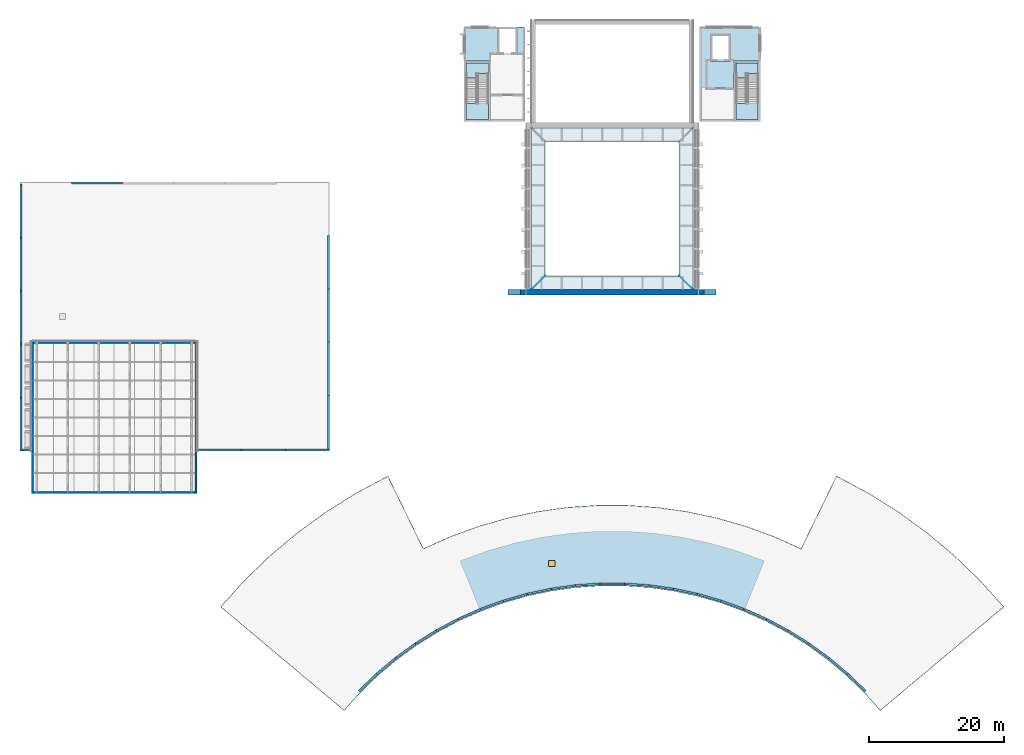
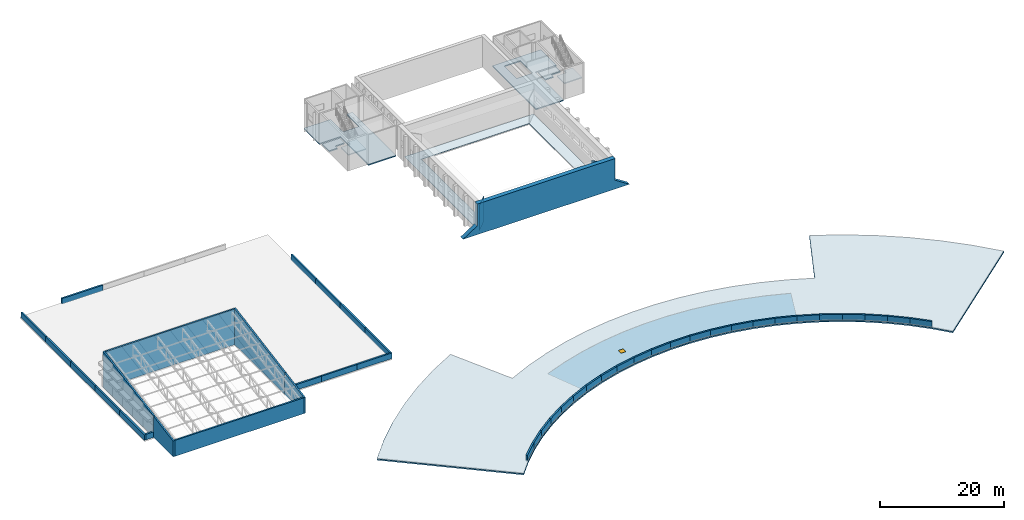
"""IFC4 building model written with IfcOpenShell, lengths in metres."""

from ifc_helpers import new_model, si_unit, direction, frame, frame_2d, origin, origin_2d, place, context, subcontext, project, spatial, polyline, rectangle, outline, extrude, material, layer, layer_set, type_object, element, fill, aggregate, save


model = new_model("IFC4")

# Units and contexts
model_context = context("Model", 3, precision=1e-05, world=origin(), true_north=direction((0.0, 1.0)))
body_context = subcontext(model_context, "Body", "Model", "MODEL_VIEW")
ifc_project = project(units=[si_unit("LENGTHUNIT", "METRE"), si_unit("AREAUNIT", "SQUARE_METRE"), si_unit("VOLUMEUNIT", "CUBIC_METRE"), si_unit("PLANEANGLEUNIT", "RADIAN"), si_unit("MASSUNIT", "GRAM", prefix="KILO")], contexts=[model_context])

# Site, building, storey
site_placement = place(None, origin())
site = spatial("IfcSite", under=ifc_project, at=site_placement, CompositionType="ELEMENT")
building_placement = place(site_placement, origin())
building = spatial("IfcBuilding", under=site, at=building_placement, Name="Lunette Opera House", CompositionType="ELEMENT")
storey_1_placement = place(building_placement, frame((0.0, 0.0, 28.0)))
storey_1 = spatial("IfcBuildingStorey", under=building, at=storey_1_placement, Name="L05", CompositionType="ELEMENT", Elevation=28.0)

# Slabs
ifc_material_1 = material(Name="Concrete C35/45", Category="concrete")
ifc_layer_1 = layer(ifc_material_1, 0.219970703125)
ifc_layer_set_1 = layer_set([ifc_layer_1], Name="Concrete C35/45")
slab_type_1 = type_object("IfcSlabType", Name="CORE LANDING SLAB 220", PredefinedType="LANDING", material=ifc_layer_set_1)
slab_1_placement = place(storey_1_placement, frame((0.0, 0.0, -0.219970703125)))
element("IfcSlab", 1, at=slab_1_placement, inside=storey_1, type_object=slab_type_1, Name="ST11 floor landing", PredefinedType="LANDING", context=body_context, shape_type="SweptSolid", body=[
    extrude(outline(polyline([(77.60009765625, 129.699951171875), (77.60009765625, 128.139892578125), (76.050048828125, 128.139892578125), (76.050048828125, 128.14990234375), (75.85009765625, 128.14990234375), (75.85009765625, 127.449951171875), (74.300048828125, 127.449951171875), (74.300048828125, 129.699951171875), (77.60009765625, 129.699951171875)])), origin(), (0.0, 0.0, 1.0), 0.219970703125),
])
slab_2_placement = place(storey_1_placement, frame((0.0, 0.0, -0.219970703125)))
element("IfcSlab", 2, at=slab_2_placement, inside=storey_1, type_object=slab_type_1, Name="ST12 floor landing", PredefinedType="LANDING", context=body_context, shape_type="SweptSolid", body=[
    extrude(outline(polyline([(117.699951171875, 128.139892578125), (116.14990234375, 128.139892578125), (116.14990234375, 128.14990234375), (115.949951171875, 128.14990234375), (115.949951171875, 127.449951171875), (114.39990234375, 127.449951171875), (114.39990234375, 129.699951171875), (117.699951171875, 129.699951171875), (117.699951171875, 128.139892578125)])), origin(), (0.0, 0.0, 1.0), 0.219970703125),
])
ifc_material_2 = material(Name="Concrete C35/45", Category="concrete")
ifc_layer_2 = layer(ifc_material_2, 0.219970703125)
ifc_layer_set_2 = layer_set([ifc_layer_2], Name="Concrete C35/45")
slab_type_2 = type_object("IfcSlabType", Name="FLOOR SLAB 220", PredefinedType="FLOOR", material=ifc_layer_set_2)
slab_3_placement = place(storey_1_placement, frame((0.0, 0.0, -0.219970703125)))
element("IfcSlab", 3, at=slab_3_placement, inside=storey_1, type_object=slab_type_2, Name="slab-ST-L05-F1", PredefinedType="FLOOR", context=body_context, shape_type="SweptSolid", body=[
    extrude(outline(polyline([(78.949951171875, 135.0), (74.0, 135.0), (74.0, 130.0), (77.89990234375, 130.0), (77.89990234375, 121.0), (83.0, 121.0), (83.0, 135.0), (81.949951171875, 135.0), (81.949951171875, 131.0), (78.949951171875, 131.0), (78.949951171875, 135.0)])), origin(), (0.0, 0.0, 1.0), 0.219970703125),
])
slab_4_placement = place(storey_1_placement, frame((0.0, 0.0, -0.219970703125)))
element("IfcSlab", 4, at=slab_4_placement, inside=storey_1, type_object=slab_type_2, Name="slab-ST-L05-F2", PredefinedType="FLOOR", context=body_context, shape_type="SweptSolid", body=[
    extrude(outline(polyline([(109.0, 121.0), (114.10009765625, 121.0), (114.10009765625, 130.0), (118.0, 130.0), (118.0, 135.0), (109.0, 135.0), (109.0, 121.0)]), holes=[polyline([(110.60009765625, 130.0), (110.60009765625, 134.0), (113.60009765625, 134.0), (113.60009765625, 130.0), (110.60009765625, 130.0)])]), origin(), (0.0, 0.0, 1.0), 0.219970703125),
])
ifc_material_3 = material(Name="Steel S235 grating", Category="steel")
ifc_layer_3 = layer(ifc_material_3, 0.06005859375)
ifc_layer_set_3 = layer_set([ifc_layer_3], Name="Steel S235 grating")
slab_type_3 = type_object("IfcSlabType", Name="GALLERY GRATING 60", PredefinedType="LANDING", material=ifc_layer_set_3)
slab_5_placement = place(storey_1_placement, frame((0.0, 0.0, -0.06005859375)))
element("IfcSlab", 5, at=slab_5_placement, inside=storey_1, type_object=slab_type_3, Name="slab-ST-L05-FG4-1", PredefinedType="LANDING", context=body_context, shape_type="SweptSolid", body=[
    extrude(outline(polyline([(84.0, 96.0), (108.0, 96.0), (108.0, 120.0), (84.0, 120.0), (84.0, 96.0)]), holes=[polyline([(106.0, 118.0), (106.0, 98.0), (86.0, 98.0), (86.0, 118.0), (106.0, 118.0)])]), origin(), (0.0, 0.0, 1.0), 0.06005859375),
])

# Slab, opening
ifc_material_4 = material(Name="Concrete C35/45", Category="concrete")
ifc_layer_4 = layer(ifc_material_4, 0.25)
ifc_layer_set_4 = layer_set([ifc_layer_4], Name="Concrete C35/45")
slab_type_4 = type_object("IfcSlabType", Name="ROOF SLAB 250", PredefinedType="ROOF", material=ifc_layer_set_4)
slab_6_placement = place(storey_1_placement, frame((0.0, 0.0, -0.25)))
slab_6 = element("IfcSlab", 6, at=slab_6_placement, inside=storey_1, type_object=slab_type_4, Name="slab-FC-L04-R1", PredefinedType="ROOF", context=body_context, shape_type="SweptSolid", body=[
    extrude(outline(polyline([(76.222900390625, 60.867919921875), (72.02490234375, 59.340087890625), (67.944091796875, 57.52294921875), (62.68408203125, 68.30810546875), (58.0, 65.818115234375), (53.5009765625, 63.007080078125), (49.2099609375, 59.888916015625), (45.14599609375, 56.47900390625), (41.330078125, 52.7939453125), (37.781005859375, 48.85205078125), (46.972900390625, 41.137939453125), (56.166015625, 33.425048828125), (58.593994140625, 36.1220703125), (61.205078125, 38.64404296875), (63.986083984375, 40.97705078125), (66.922119140625, 43.110107421875), (70.0, 45.032958984375), (73.205078125, 46.737060546875), (76.52001953125, 48.214111328125), (79.930908203125, 49.455078125), (83.419921875, 50.455078125), (86.969970703125, 51.2099609375), (90.56494140625, 51.715087890625), (94.18505859375, 51.968017578125), (97.81494140625, 51.968017578125), (101.43505859375, 51.715087890625), (105.030029296875, 51.2099609375), (108.580078125, 50.455078125), (112.069091796875, 49.455078125), (115.47998046875, 48.214111328125), (118.794921875, 46.737060546875), (122.0, 45.032958984375), (125.077880859375, 43.110107421875), (128.013916015625, 40.97705078125), (130.794921875, 38.64404296875), (133.406005859375, 36.1220703125), (135.833984375, 33.425048828125), (145.027099609375, 41.137939453125), (154.218994140625, 48.85205078125), (150.669921875, 52.7939453125), (146.85400390625, 56.47900390625), (142.7900390625, 59.888916015625), (138.4990234375, 63.007080078125), (134.0, 65.818115234375), (129.31591796875, 68.30810546875), (124.055908203125, 57.52294921875), (119.97509765625, 59.340087890625), (115.777099609375, 60.867919921875), (111.48291015625, 62.09912109375), (107.113037109375, 63.028076171875), (102.68994140625, 63.64892578125), (98.23388671875, 63.9609375), (93.76611328125, 63.9609375), (89.31005859375, 63.64892578125), (84.886962890625, 63.028076171875), (80.51708984375, 62.09912109375), (76.222900390625, 60.867919921875)])), origin(), (0.0, 0.0, 1.0), 0.25),
])
opening_placement = place(slab_6_placement, frame((87.014892578125, 55.3291015625, 0.0)))
opening = element("IfcOpeningElement", 7, at=opening_placement, cuts=slab_6, Name="Opening FC-D2012", PredefinedType="OPENING", context=body_context, shape_type="SweptSolid", body=[
    extrude(rectangle(XDim=0.89990234375, YDim=0.89990234375, at=origin_2d()), origin(), (0.0, 0.0, 1.0), 0.25),
])

# Storey
storey_2_placement = place(building_placement, frame((0.0, 0.0, 22.5)))
storey_2 = spatial("IfcBuildingStorey", under=building, at=storey_2_placement, Name="L04", CompositionType="ELEMENT", Elevation=22.5)

# Door
ifc_material_5 = material(Name="Insulated steel", Category="steel")
door_type = type_object("IfcDoorType", Name="ROOF HATCH 900 X 900", OperationType="SINGLE_SWING_LEFT", PredefinedType="TRAPDOOR", material=ifc_material_5)
door_placement = place(opening_placement, frame((0.0, 0.0, 0.199951171875)))
door = element("IfcDoor", 8, at=door_placement, inside=storey_2, type_object=door_type, Name="Roof hatch FC 1", OperationType="SINGLE_SWING_LEFT", OverallHeight=0.89990234375, OverallWidth=0.89990234375, PredefinedType="TRAPDOOR", context=body_context, shape_type="SweptSolid", body=[
    extrude(rectangle(XDim=0.89990234375, YDim=0.89990234375, at=origin_2d()), origin(), (0.0, 0.0, 1.0), 0.050048828125),
])

fill(opening, door)

# Stair, slab
ifc_material_6 = material(Name="Concrete C35/45", Category="concrete")
stair_type = type_object("IfcStairType", Name="DOGLEG STAIR 1550", PredefinedType="HALF_TURN_STAIR", material=ifc_material_6)
stair_1_placement = place(storey_1_placement, origin())
stair_1 = element("IfcStair", 9, at=stair_1_placement, inside=storey_1, type_object=stair_type, Name="L05 stair ST11", PredefinedType="HALF_TURN_STAIR")
ifc_material_7 = material(Name="Concrete C35/45", Category="concrete")
ifc_layer_5 = layer(ifc_material_7, 0.199951171875)
ifc_layer_set_5 = layer_set([ifc_layer_5], Name="Concrete C35/45")
slab_type_5 = type_object("IfcSlabType", Name="STAIR LANDING SLAB 200", PredefinedType="LANDING", material=ifc_layer_set_5)
slab_7_placement = place(storey_1_placement, frame((0.0, 0.0, 2.800048828125)))
slab_7 = element("IfcSlab", 10, at=slab_7_placement, type_object=slab_type_5, Name="ST11 landing 1", PredefinedType="LANDING", context=body_context, shape_type="SweptSolid", body=[
    extrude(outline(polyline([(74.300048828125, 121.300048828125), (74.300048828125, 123.679931640625), (75.85009765625, 123.679931640625), (75.85009765625, 123.669921875), (76.050048828125, 123.669921875), (76.050048828125, 124.3701171875), (77.60009765625, 124.3701171875), (77.60009765625, 121.300048828125), (74.300048828125, 121.300048828125)])), origin(), (0.0, 0.0, 1.0), 0.199951171875),
])
aggregate(stair_1, [slab_7])

stair_2_placement = place(storey_1_placement, origin())
stair_2 = element("IfcStair", 11, at=stair_2_placement, inside=storey_1, type_object=stair_type, Name="L05 stair ST12", PredefinedType="HALF_TURN_STAIR")
slab_8_placement = place(storey_1_placement, frame((0.0, 0.0, 2.800048828125)))
slab_8 = element("IfcSlab", 12, at=slab_8_placement, type_object=slab_type_5, Name="ST12 landing 1", PredefinedType="LANDING", context=body_context, shape_type="SweptSolid", body=[
    extrude(outline(polyline([(114.39990234375, 121.300048828125), (114.39990234375, 123.679931640625), (115.949951171875, 123.679931640625), (115.949951171875, 123.669921875), (116.14990234375, 123.669921875), (116.14990234375, 124.3701171875), (117.699951171875, 124.3701171875), (117.699951171875, 121.300048828125), (114.39990234375, 121.300048828125)])), origin(), (0.0, 0.0, 1.0), 0.199951171875),
])
aggregate(stair_2, [slab_8])

# Walls
ifc_material_8 = material(Name="Clinker brick", Category="masonry")
ifc_layer_6 = layer(ifc_material_8, 0.300048828125)
ifc_layer_set_6 = layer_set([ifc_layer_6], Name="Clinker brick")
wall_type_1 = type_object("IfcWallType", Name="CRESCENT PARAPET WALL 300", PredefinedType="PARAPET", material=ifc_layer_set_6)
wall_1_placement = place(storey_1_placement, frame((58.3798828125, 36.3330078125, 0.0), z_axis=(0.0, 0.0, 1.0), x_axis=(0.719485688602, 0.694507266986, 0.0)))
element("IfcWall", 13, at=wall_1_placement, inside=storey_1, type_object=wall_type_1, Name="Crescent Parapet Wall 300 BW-A01-PA L05", PredefinedType="PARAPET", context=body_context, shape_type="SweptSolid", body=[
    extrude(rectangle(XDim=3.645751953125, YDim=0.300048828125, at=frame_2d((1.82275390625, 0.0))), origin(), (0.0, 0.0, 1.0), 1.10009765625),
])
for number, where, z_axis, x_axis, name in (
    (14, (61.007080078125, 38.867919921875, 0.0), (0.0, 0.0, 1.0), (0.766009592259, 0.642829141038, 0.0), "Crescent Parapet Wall 300 BW-A02-PA L05"),
    (15, (63.802978515625, 41.215087890625, 0.0), (0.0, 0.0, 1.0), (0.809109587744, 0.58765778734, 0.0), "Crescent Parapet Wall 300 BW-A03-PA L05"),
):
    element("IfcWall", number, at=place(storey_1_placement, frame(where, z_axis=z_axis, x_axis=x_axis)), inside=storey_1, type_object=wall_type_1, Name=name, PredefinedType="PARAPET", context=body_context, shape_type="SweptSolid", body=[
        extrude(rectangle(XDim=3.644775390625, YDim=0.300048828125, at=frame_2d((1.822265625, 0.0))), origin(), (0.0, 0.0, 1.0), 1.10009765625),
    ])
wall_2_placement = place(storey_1_placement, frame((66.756103515625, 43.360107421875, 0.0), z_axis=(0.0, 0.0, 1.0), x_axis=(0.848058492769, 0.529902625812, 0.0)))
element("IfcWall", 16, at=wall_2_placement, inside=storey_1, type_object=wall_type_1, Name="Crescent Parapet Wall 300 BW-A04-PA L05", PredefinedType="PARAPET", context=body_context, shape_type="SweptSolid", body=[
    extrude(rectangle(XDim=3.645751953125, YDim=0.300048828125, at=frame_2d((1.82275390625, 0.0))), origin(), (0.0, 0.0, 1.0), 1.10009765625),
])
wall_3_placement = place(storey_1_placement, frame((69.85302734375, 45.2939453125, 0.0), z_axis=(0.0, 0.0, 1.0), x_axis=(0.882821572394, 0.469708496108, 0.0)))
element("IfcWall", 17, at=wall_3_placement, inside=storey_1, type_object=wall_type_1, Name="Crescent Parapet Wall 300 BW-A05-PA L05", PredefinedType="PARAPET", context=body_context, shape_type="SweptSolid", body=[
    extrude(rectangle(XDim=3.645263671875, YDim=0.300048828125, at=frame_2d((1.82275390625, 0.0))), origin(), (0.0, 0.0, 1.0), 1.10009765625),
])
wall_4_placement = place(storey_1_placement, frame((73.075927734375, 47.009033203125, 0.0), z_axis=(0.0, 0.0, 1.0), x_axis=(0.913618098434, 0.406573449963, 0.0)))
element("IfcWall", 18, at=wall_4_placement, inside=storey_1, type_object=wall_type_1, Name="Crescent Parapet Wall 300 BW-A06-PA L05", PredefinedType="PARAPET", context=body_context, shape_type="SweptSolid", body=[
    extrude(rectangle(XDim=3.64501953125, YDim=0.300048828125, at=frame_2d((1.822509765625, 0.0))), origin(), (0.0, 0.0, 1.0), 1.10009765625),
])
wall_5_placement = place(storey_1_placement, frame((76.409912109375, 48.491943359375, 0.0), z_axis=(0.0, 0.0, 1.0), x_axis=(0.939683889228, 0.34204413213, 0.0)))
element("IfcWall", 19, at=wall_5_placement, inside=storey_1, type_object=wall_type_1, Name="Crescent Parapet Wall 300 BW-A07-PA L05", PredefinedType="PARAPET", context=body_context, shape_type="SweptSolid", body=[
    extrude(rectangle(XDim=3.64599609375, YDim=0.300048828125, at=frame_2d((1.822998046875, 0.0))), origin(), (0.0, 0.0, 1.0), 1.10009765625),
])
wall_6_placement = place(storey_1_placement, frame((79.841064453125, 49.740966796875, 0.0), z_axis=(0.0, 0.0, 1.0), x_axis=(0.961232761004, 0.275738243942, 0.0)))
element("IfcWall", 20, at=wall_6_placement, inside=storey_1, type_object=wall_type_1, Name="Crescent Parapet Wall 300 BW-A08-PA L05", PredefinedType="PARAPET", context=body_context, shape_type="SweptSolid", body=[
    extrude(rectangle(XDim=3.645263671875, YDim=0.300048828125, at=frame_2d((1.82275390625, 0.0))), origin(), (0.0, 0.0, 1.0), 1.10009765625),
])
wall_7_placement = place(storey_1_placement, frame((83.35009765625, 50.7470703125, 0.0), z_axis=(0.0, 0.0, 1.0), x_axis=(0.97814420729, 0.207927655077, 0.0)))
element("IfcWall", 21, at=wall_7_placement, inside=storey_1, type_object=wall_type_1, Name="Crescent Parapet Wall 300 BW-A09-PA L05", PredefinedType="PARAPET", context=body_context, shape_type="SweptSolid", body=[
    extrude(rectangle(XDim=3.64453125, YDim=0.300048828125, at=frame_2d((1.822265625, 0.0))), origin(), (0.0, 0.0, 1.0), 1.10009765625),
])
wall_8_placement = place(storey_1_placement, frame((86.9208984375, 51.506103515625, 0.0), z_axis=(0.0, 0.0, 1.0), x_axis=(0.990288154546, 0.139030108125, 0.0)))
element("IfcWall", 22, at=wall_8_placement, inside=storey_1, type_object=wall_type_1, Name="Crescent Parapet Wall 300 BW-A10-PA L05", PredefinedType="PARAPET", context=body_context, shape_type="SweptSolid", body=[
    extrude(rectangle(XDim=3.6455078125, YDim=0.300048828125, at=frame_2d((1.82275390625, 0.0))), origin(), (0.0, 0.0, 1.0), 1.10009765625),
])
wall_9_placement = place(storey_1_placement, frame((90.535888671875, 52.013916015625, 0.0), z_axis=(0.0, 0.0, 1.0), x_axis=(0.997566333199, 0.069723818508, 0.0)))
element("IfcWall", 23, at=wall_9_placement, inside=storey_1, type_object=wall_type_1, Name="Crescent Parapet Wall 300 BW-A11-PA L05", PredefinedType="PARAPET", context=body_context, shape_type="SweptSolid", body=[
    extrude(rectangle(XDim=3.64501953125, YDim=0.300048828125, at=frame_2d((1.822509765625, 0.0))), origin(), (0.0, 0.0, 1.0), 1.10009765625),
])
wall_10_placement = place(storey_1_placement, frame((94.177001953125, 52.26806640625, 0.0), z_axis=(0.0, 0.0, 1.0), x_axis=(1.0, 0.0, 0.0)))
element("IfcWall", 24, at=wall_10_placement, inside=storey_1, type_object=wall_type_1, Name="Crescent Parapet Wall 300 BW-A12-PA L05", PredefinedType="PARAPET", context=body_context, shape_type="SweptSolid", body=[
    extrude(rectangle(XDim=3.64599609375, YDim=0.300048828125, at=frame_2d((1.822998046875, 0.0))), origin(), (0.0, 0.0, 1.0), 1.10009765625),
])
wall_11_placement = place(storey_1_placement, frame((97.827880859375, 52.26806640625, 0.0), z_axis=(0.0, 0.0, 1.0), x_axis=(0.997566333199, -0.069723818508, 0.0)))
element("IfcWall", 25, at=wall_11_placement, inside=storey_1, type_object=wall_type_1, Name="Crescent Parapet Wall 300 BW-A13-PA L05", PredefinedType="PARAPET", context=body_context, shape_type="SweptSolid", body=[
    extrude(rectangle(XDim=3.64501953125, YDim=0.300048828125, at=frame_2d((1.822509765625, 0.0))), origin(), (0.0, 0.0, 1.0), 1.10009765625),
])
wall_12_placement = place(storey_1_placement, frame((101.468994140625, 52.012939453125, 0.0), z_axis=(0.0, 0.0, 1.0), x_axis=(0.990288154546, -0.139030108125, 0.0)))
element("IfcWall", 26, at=wall_12_placement, inside=storey_1, type_object=wall_type_1, Name="Crescent Parapet Wall 300 BW-A14-PA L05", PredefinedType="PARAPET", context=body_context, shape_type="SweptSolid", body=[
    extrude(rectangle(XDim=3.6455078125, YDim=0.300048828125, at=frame_2d((1.82275390625, 0.0))), origin(), (0.0, 0.0, 1.0), 1.10009765625),
])
wall_13_placement = place(storey_1_placement, frame((105.0849609375, 51.5048828125, 0.0), z_axis=(0.0, 0.0, 1.0), x_axis=(0.97814420729, -0.207927655077, 0.0)))
element("IfcWall", 27, at=wall_13_placement, inside=storey_1, type_object=wall_type_1, Name="Crescent Parapet Wall 300 BW-A15-PA L05", PredefinedType="PARAPET", context=body_context, shape_type="SweptSolid", body=[
    extrude(rectangle(XDim=3.64453125, YDim=0.300048828125, at=frame_2d((1.822265625, 0.0))), origin(), (0.0, 0.0, 1.0), 1.10009765625),
])
wall_14_placement = place(storey_1_placement, frame((108.655029296875, 50.74609375, 0.0), z_axis=(0.0, 0.0, 1.0), x_axis=(0.961232761004, -0.275738243942, 0.0)))
element("IfcWall", 28, at=wall_14_placement, inside=storey_1, type_object=wall_type_1, Name="Crescent Parapet Wall 300 BW-A16-PA L05", PredefinedType="PARAPET", context=body_context, shape_type="SweptSolid", body=[
    extrude(rectangle(XDim=3.645263671875, YDim=0.300048828125, at=frame_2d((1.82275390625, 0.0))), origin(), (0.0, 0.0, 1.0), 1.10009765625),
])
wall_15_placement = place(storey_1_placement, frame((112.1640625, 49.739013671875, 0.0), z_axis=(0.0, 0.0, 1.0), x_axis=(0.939683889228, -0.34204413213, 0.0)))
element("IfcWall", 29, at=wall_15_placement, inside=storey_1, type_object=wall_type_1, Name="Crescent Parapet Wall 300 BW-A17-PA L05", PredefinedType="PARAPET", context=body_context, shape_type="SweptSolid", body=[
    extrude(rectangle(XDim=3.64599609375, YDim=0.300048828125, at=frame_2d((1.822998046875, 0.0))), origin(), (0.0, 0.0, 1.0), 1.10009765625),
])
wall_16_placement = place(storey_1_placement, frame((115.593994140625, 48.490966796875, 0.0), z_axis=(0.0, 0.0, 1.0), x_axis=(0.913618098434, -0.406573449963, 0.0)))
element("IfcWall", 30, at=wall_16_placement, inside=storey_1, type_object=wall_type_1, Name="Crescent Parapet Wall 300 BW-A18-PA L05", PredefinedType="PARAPET", context=body_context, shape_type="SweptSolid", body=[
    extrude(rectangle(XDim=3.64501953125, YDim=0.300048828125, at=frame_2d((1.822509765625, 0.0))), origin(), (0.0, 0.0, 1.0), 1.10009765625),
])
wall_17_placement = place(storey_1_placement, frame((118.928955078125, 47.006103515625, 0.0), z_axis=(0.0, 0.0, 1.0), x_axis=(0.882821572394, -0.469708496108, 0.0)))
element("IfcWall", 31, at=wall_17_placement, inside=storey_1, type_object=wall_type_1, Name="Crescent Parapet Wall 300 BW-A19-PA L05", PredefinedType="PARAPET", context=body_context, shape_type="SweptSolid", body=[
    extrude(rectangle(XDim=3.645263671875, YDim=0.300048828125, at=frame_2d((1.82275390625, 0.0))), origin(), (0.0, 0.0, 1.0), 1.10009765625),
])
wall_18_placement = place(storey_1_placement, frame((122.152099609375, 45.2919921875, 0.0), z_axis=(0.0, 0.0, 1.0), x_axis=(0.848058492769, -0.529902625812, 0.0)))
element("IfcWall", 32, at=wall_18_placement, inside=storey_1, type_object=wall_type_1, Name="Crescent Parapet Wall 300 BW-A20-PA L05", PredefinedType="PARAPET", context=body_context, shape_type="SweptSolid", body=[
    extrude(rectangle(XDim=3.645751953125, YDim=0.300048828125, at=frame_2d((1.82275390625, 0.0))), origin(), (0.0, 0.0, 1.0), 1.10009765625),
])
for number, where, z_axis, x_axis, name in (
    (33, (125.248046875, 43.35693359375, 0.0), (0.0, 0.0, 1.0), (0.809109587744, -0.58765778734, 0.0), "Crescent Parapet Wall 300 BW-A21-PA L05"),
    (34, (128.200927734375, 41.2109375, 0.0), (0.0, 0.0, 1.0), (0.766009592259, -0.642829141038, 0.0), "Crescent Parapet Wall 300 BW-A22-PA L05"),
):
    element("IfcWall", number, at=place(storey_1_placement, frame(where, z_axis=z_axis, x_axis=x_axis)), inside=storey_1, type_object=wall_type_1, Name=name, PredefinedType="PARAPET", context=body_context, shape_type="SweptSolid", body=[
        extrude(rectangle(XDim=3.644775390625, YDim=0.300048828125, at=frame_2d((1.822265625, 0.0))), origin(), (0.0, 0.0, 1.0), 1.10009765625),
    ])
wall_19_placement = place(storey_1_placement, frame((130.9970703125, 38.864990234375, 0.0), z_axis=(0.0, 0.0, 1.0), x_axis=(0.719485688602, -0.694507266986, 0.0)))
element("IfcWall", 35, at=wall_19_placement, inside=storey_1, type_object=wall_type_1, Name="Crescent Parapet Wall 300 BW-A23-PA L05", PredefinedType="PARAPET", context=body_context, shape_type="SweptSolid", body=[
    extrude(rectangle(XDim=3.645751953125, YDim=0.300048828125, at=frame_2d((1.82275390625, 0.0))), origin(), (0.0, 0.0, 1.0), 1.10009765625),
])
ifc_material_9 = material(Name="Concrete C40/50", Category="concrete")
ifc_layer_7 = layer(ifc_material_9, 0.800048828125)
ifc_layer_set_7 = layer_set([ifc_layer_7], Name="Concrete C40/50")
wall_type_2 = type_object("IfcWallType", Name="FIRE WALL 800", PredefinedType="SHEAR", material=ifc_layer_set_7)
wall_20_placement = place(storey_1_placement, frame((80.5400390625, 95.60009765625, 0.0), z_axis=(0.0, 0.0, 1.0), x_axis=(1.0, 0.0, 0.0)))
element("IfcWall", 36, at=wall_20_placement, inside=storey_1, type_object=wall_type_2, Name="wall-ST-L05-WP-1", PredefinedType="SHEAR", context=body_context, shape_type="SweptSolid", body=[
    extrude(outline(polyline([(0.0, 0.0), (30.919921875, 0.0), (30.919921875, 0.0), (30.87890625, 0.0380859375), (28.260009765625, 1.721923828125), (28.259033203125, 6.0), (28.259033203125, 6.0), (24.547119140625, 6.0), (23.4599609375, 6.0), (21.285888671875, 6.0), (17.466064453125, 6.0), (13.4541015625, 6.0), (9.634033203125, 6.0), (7.4599609375, 6.0), (6.3720703125, 6.0), (2.660888671875, 6.0), (2.659912109375, 6.0), (2.659912109375, 1.721923828125), (0.0400390625, 0.0380859375), (0.0, 0.0), (0.0, 0.0)])), frame((0.0, 0.39990234375, 0.0), z_axis=(0.0, -1.0, 0.0), x_axis=(1.0, 0.0, 0.0)), (0.0, 0.0, 1.0), 0.800048828125),
])
ifc_material_10 = material(Name="Concrete C35/45", Category="concrete")
ifc_layer_8 = layer(ifc_material_10, 0.300048828125)
ifc_layer_set_8 = layer_set([ifc_layer_8], Name="Concrete C35/45")
wall_type_3 = type_object("IfcWallType", Name="RC LOFT WALL 300", PredefinedType="SHEAR", material=ifc_layer_set_8)
wall_21_placement = place(storey_1_placement, frame((10.0, 65.85009765625, 0.0), z_axis=(0.0, 0.0, 1.0), x_axis=(1.0, 0.0, 0.0)))
element("IfcWall", 37, at=wall_21_placement, inside=storey_1, type_object=wall_type_3, Name="Rehearsal loft wall S2", PredefinedType="SHEAR", context=body_context, shape_type="SweptSolid", body=[
    extrude(rectangle(XDim=24.0, YDim=0.300048828125, at=frame_2d((12.0, 0.0))), origin(), (0.0, 0.0, 1.0), 3.1201171875),
])
wall_22_placement = place(storey_1_placement, frame((10.0, 88.14990234375, 0.0), z_axis=(0.0, 0.0, 1.0), x_axis=(1.0, 0.0, 0.0)))
element("IfcWall", 38, at=wall_22_placement, inside=storey_1, type_object=wall_type_3, Name="Rehearsal loft wall N", PredefinedType="SHEAR", context=body_context, shape_type="SweptSolid", body=[
    extrude(rectangle(XDim=24.0, YDim=0.300048828125, at=frame_2d((12.0, 0.0))), origin(), (0.0, 0.0, 1.0), 6.9990234375),
])
wall_23_placement = place(storey_1_placement, frame((9.85009765625, 65.699951171875, 0.0), z_axis=(0.0, 0.0, 1.0), x_axis=(0.0, 1.0, 0.0)))
element("IfcWall", 39, at=wall_23_placement, inside=storey_1, type_object=wall_type_3, Name="Rehearsal loft wall W2", PredefinedType="SHEAR", context=body_context, shape_type="SweptSolid", body=[
    extrude(outline(polyline([(0.0, 0.0), (6.300048828125, 0.0), (6.300048828125, 4.177978515625), (0.300048828125, 3.1201171875), (0.0, 3.1201171875), (0.0, 0.0)])), frame((0.0, 0.14990234375, 0.0), z_axis=(0.0, -1.0, 0.0), x_axis=(1.0, 0.0, 0.0)), (0.0, 0.0, 1.0), 0.300048828125),
])
wall_24_placement = place(storey_1_placement, frame((9.85009765625, 72.0, 0.0), z_axis=(0.0, 0.0, 1.0), x_axis=(0.0, 1.0, 0.0)))
element("IfcWall", 40, at=wall_24_placement, inside=storey_1, type_object=wall_type_3, Name="Rehearsal loft wall W3", PredefinedType="SHEAR", context=body_context, shape_type="SweptSolid", body=[
    extrude(outline(polyline([(0.0, 0.0), (16.300048828125, 0.0), (16.300048828125, 6.9990234375), (16.0, 6.9990234375), (0.0, 4.177978515625), (0.0, 0.0)])), frame((0.0, 0.14990234375, 0.0), z_axis=(0.0, -1.0, 0.0), x_axis=(1.0, 0.0, 0.0)), (0.0, 0.0, 1.0), 0.300048828125),
])
wall_25_placement = place(storey_1_placement, frame((34.14990234375, 65.699951171875, 0.0), z_axis=(0.0, 0.0, 1.0), x_axis=(0.0, 1.0, 0.0)))
element("IfcWall", 41, at=wall_25_placement, inside=storey_1, type_object=wall_type_3, Name="Rehearsal loft wall E2", PredefinedType="SHEAR", context=body_context, shape_type="SweptSolid", body=[
    extrude(outline(polyline([(0.0, 0.0), (6.300048828125, 0.0), (6.300048828125, 4.177978515625), (0.300048828125, 3.1201171875), (0.0, 3.1201171875), (0.0, 0.0)])), frame((0.0, 0.14990234375, 0.0), z_axis=(0.0, -1.0, 0.0), x_axis=(1.0, 0.0, 0.0)), (0.0, 0.0, 1.0), 0.300048828125),
])
wall_26_placement = place(storey_1_placement, frame((34.14990234375, 72.0, 0.0), z_axis=(0.0, 0.0, 1.0), x_axis=(0.0, 1.0, 0.0)))
element("IfcWall", 42, at=wall_26_placement, inside=storey_1, type_object=wall_type_3, Name="Rehearsal loft wall E3", PredefinedType="SHEAR", context=body_context, shape_type="SweptSolid", body=[
    extrude(outline(polyline([(0.0, 0.0), (16.300048828125, 0.0), (16.300048828125, 6.9990234375), (16.0, 6.9990234375), (0.0, 4.177978515625), (0.0, 0.0)])), frame((0.0, 0.14990234375, 0.0), z_axis=(0.0, -1.0, 0.0), x_axis=(1.0, 0.0, 0.0)), (0.0, 0.0, 1.0), 0.300048828125),
])
ifc_material_11 = material(Name="Clinker brick", Category="masonry")
ifc_layer_9 = layer(ifc_material_11, 0.300048828125)
ifc_layer_set_9 = layer_set([ifc_layer_9], Name="Clinker brick")
wall_type_4 = type_object("IfcWallType", Name="ROOF PARAPET WALL 300", PredefinedType="PARAPET", material=ifc_layer_set_9)
wall_27_placement = place(storey_1_placement, frame((34.300048828125, 72.14990234375, 0.0), z_axis=(0.0, 0.0, 1.0), x_axis=(1.0, 0.0, 0.0)))
element("IfcWall", 43, at=wall_27_placement, inside=storey_1, type_object=wall_type_4, Name="Roof Parapet Wall 300 PA-L04-09 L05", PredefinedType="PARAPET", context=body_context, shape_type="SweptSolid", body=[
    extrude(rectangle(XDim=6.56689453125, YDim=0.300048828125, at=frame_2d((3.283447265625, 0.0))), origin(), (0.0, 0.0, 1.0), 1.10009765625),
])
wall_28_placement = place(storey_1_placement, frame((40.866943359375, 72.14990234375, 0.0), z_axis=(0.0, 0.0, 1.0), x_axis=(1.0, 0.0, 0.0)))
element("IfcWall", 44, at=wall_28_placement, inside=storey_1, type_object=wall_type_4, Name="Roof Parapet Wall 300 PA-L04-10 L05", PredefinedType="PARAPET", context=body_context, shape_type="SweptSolid", body=[
    extrude(rectangle(XDim=6.566162109375, YDim=0.300048828125, at=frame_2d((3.283203125, 0.0))), origin(), (0.0, 0.0, 1.0), 1.10009765625),
])
wall_29_placement = place(storey_1_placement, frame((47.43310546875, 72.14990234375, 0.0), z_axis=(0.0, 0.0, 1.0), x_axis=(1.0, 0.0, 0.0)))
element("IfcWall", 45, at=wall_29_placement, inside=storey_1, type_object=wall_type_4, Name="Roof Parapet Wall 300 PA-L04-11 L05", PredefinedType="PARAPET", context=body_context, shape_type="SweptSolid", body=[
    extrude(rectangle(XDim=6.56689453125, YDim=0.300048828125, at=frame_2d((3.283447265625, 0.0))), origin(), (0.0, 0.0, 1.0), 1.10009765625),
])
for number, where, z_axis, x_axis, name in (
    (46, (53.85009765625, 72.300048828125, 0.0), (0.0, 0.0, 1.0), (0.0, 1.0, 0.0), "Roof Parapet Wall 300 PA-L04-12 L05"),
    (47, (53.85009765625, 80.239990234375, 0.0), (0.0, 0.0, 1.0), (0.0, 1.0, 0.0), "Roof Parapet Wall 300 PA-L04-13 L05"),
):
    element("IfcWall", number, at=place(storey_1_placement, frame(where, z_axis=z_axis, x_axis=x_axis)), inside=storey_1, type_object=wall_type_4, Name=name, PredefinedType="PARAPET", context=body_context, shape_type="SweptSolid", body=[
        extrude(rectangle(XDim=7.93994140625, YDim=0.300048828125, at=frame_2d((3.969970703125, 0.0))), origin(), (0.0, 0.0, 1.0), 1.10009765625),
    ])
wall_30_placement = place(storey_1_placement, frame((53.85009765625, 88.179931640625, 0.0), z_axis=(0.0, 0.0, 1.0), x_axis=(0.0, 1.0, 0.0)))
element("IfcWall", 48, at=wall_30_placement, inside=storey_1, type_object=wall_type_4, Name="Roof Parapet Wall 300 PA-L04-14 L05", PredefinedType="PARAPET", context=body_context, shape_type="SweptSolid", body=[
    extrude(rectangle(XDim=7.940185546875, YDim=0.300048828125, at=frame_2d((3.97021484375, 0.0))), origin(), (0.0, 0.0, 1.0), 1.10009765625),
])
wall_31_placement = place(storey_1_placement, frame((53.85009765625, 96.1201171875, 0.0), z_axis=(0.0, 0.0, 1.0), x_axis=(0.0, 1.0, 0.0)))
element("IfcWall", 49, at=wall_31_placement, inside=storey_1, type_object=wall_type_4, Name="Roof Parapet Wall 300 PA-L04-15 L05", PredefinedType="PARAPET", context=body_context, shape_type="SweptSolid", body=[
    extrude(rectangle(XDim=7.93994140625, YDim=0.300048828125, at=frame_2d((3.969970703125, 0.0))), origin(), (0.0, 0.0, 1.0), 1.10009765625),
])
wall_32_placement = place(storey_1_placement, frame((23.23291015625, 111.85009765625, 0.0), z_axis=(0.0, 0.0, 1.0), x_axis=(-1.0, 0.0, 0.0)))
element("IfcWall", 50, at=wall_32_placement, inside=storey_1, type_object=wall_type_4, Name="Roof Parapet Wall 300 PA-L04-21 L05", PredefinedType="PARAPET", context=body_context, shape_type="SweptSolid", body=[
    extrude(rectangle(XDim=7.615966796875, YDim=0.300048828125, at=frame_2d((3.80810546875, 0.0))), origin(), (0.0, 0.0, 1.0), 1.10009765625),
])
for number, where, z_axis, x_axis, name in (
    (51, (8.14990234375, 111.699951171875, 0.0), (0.0, 0.0, 1.0), (0.0, -1.0, 0.0), "Roof Parapet Wall 300 PA-L04-23 L05"),
    (52, (8.14990234375, 103.760009765625, 0.0), (0.0, 0.0, 1.0), (0.0, -1.0, 0.0), "Roof Parapet Wall 300 PA-L04-24 L05"),
):
    element("IfcWall", number, at=place(storey_1_placement, frame(where, z_axis=z_axis, x_axis=x_axis)), inside=storey_1, type_object=wall_type_4, Name=name, PredefinedType="PARAPET", context=body_context, shape_type="SweptSolid", body=[
        extrude(rectangle(XDim=7.93994140625, YDim=0.300048828125, at=frame_2d((3.969970703125, 0.0))), origin(), (0.0, 0.0, 1.0), 1.10009765625),
    ])
wall_33_placement = place(storey_1_placement, frame((8.14990234375, 95.820068359375, 0.0), z_axis=(0.0, 0.0, 1.0), x_axis=(0.0, -1.0, 0.0)))
element("IfcWall", 53, at=wall_33_placement, inside=storey_1, type_object=wall_type_4, Name="Roof Parapet Wall 300 PA-L04-25 L05", PredefinedType="PARAPET", context=body_context, shape_type="SweptSolid", body=[
    extrude(rectangle(XDim=7.940185546875, YDim=0.300048828125, at=frame_2d((3.97021484375, 0.0))), origin(), (0.0, 0.0, 1.0), 1.10009765625),
])
for number, where, z_axis, x_axis, name in (
    (54, (8.14990234375, 87.8798828125, 0.0), (0.0, 0.0, 1.0), (0.0, -1.0, 0.0), "Roof Parapet Wall 300 PA-L04-26 L05"),
    (55, (8.14990234375, 79.93994140625, 0.0), (0.0, 0.0, 1.0), (0.0, -1.0, 0.0), "Roof Parapet Wall 300 PA-L04-27 L05"),
):
    element("IfcWall", number, at=place(storey_1_placement, frame(where, z_axis=z_axis, x_axis=x_axis)), inside=storey_1, type_object=wall_type_4, Name=name, PredefinedType="PARAPET", context=body_context, shape_type="SweptSolid", body=[
        extrude(rectangle(XDim=7.93994140625, YDim=0.300048828125, at=frame_2d((3.969970703125, 0.0))), origin(), (0.0, 0.0, 1.0), 1.10009765625),
    ])
wall_34_placement = place(storey_1_placement, frame((8.300048828125, 72.14990234375, 0.0), z_axis=(0.0, 0.0, 1.0), x_axis=(1.0, 0.0, 0.0)))
element("IfcWall", 56, at=wall_34_placement, inside=storey_1, type_object=wall_type_4, Name="Roof Parapet Wall 300 PA-L04-28 L05", PredefinedType="PARAPET", context=body_context, shape_type="SweptSolid", body=[
    extrude(rectangle(XDim=1.39990234375, YDim=0.300048828125, at=frame_2d((0.699951171875, 0.0))), origin(), (0.0, 0.0, 1.0), 1.10009765625),
])
ifc_material_12 = material(Name="Gypsum board on steel studs", Category="steel")
ifc_layer_10 = layer(ifc_material_12, 0.10009765625)
ifc_layer_set_10 = layer_set([ifc_layer_10], Name="Gypsum board on steel studs")
wall_type_5 = type_object("IfcWallType", Name="STUD PARTITION 100", PredefinedType="PARTITIONING", material=ifc_layer_set_10)
for number, where, z_axis, x_axis, name in (
    (57, (86.0, 98.0, 0.0), (0.0, 0.0, 1.0), (-0.707106781187, -0.707106781187, 0.0), "Partition Fly Gallery 28 South"),
    (58, (107.9990234375, 96.0009765625, 0.0), (0.0, 0.0, 1.0), (-0.707106781187, 0.707106781187, 0.0), "Partition Fly Gallery 28 South"),
):
    element("IfcWall", number, at=place(storey_1_placement, frame(where, z_axis=z_axis, x_axis=x_axis)), inside=storey_1, type_object=wall_type_5, Name=name, PredefinedType="PARTITIONING", context=body_context, shape_type="SweptSolid", body=[
        extrude(rectangle(XDim=2.8271484375, YDim=0.10009765625, at=frame_2d((1.41357421875, 0.0))), origin(), (0.0, 0.0, 1.0), 4.89990234375),
    ])

save(model, "model.ifc")
